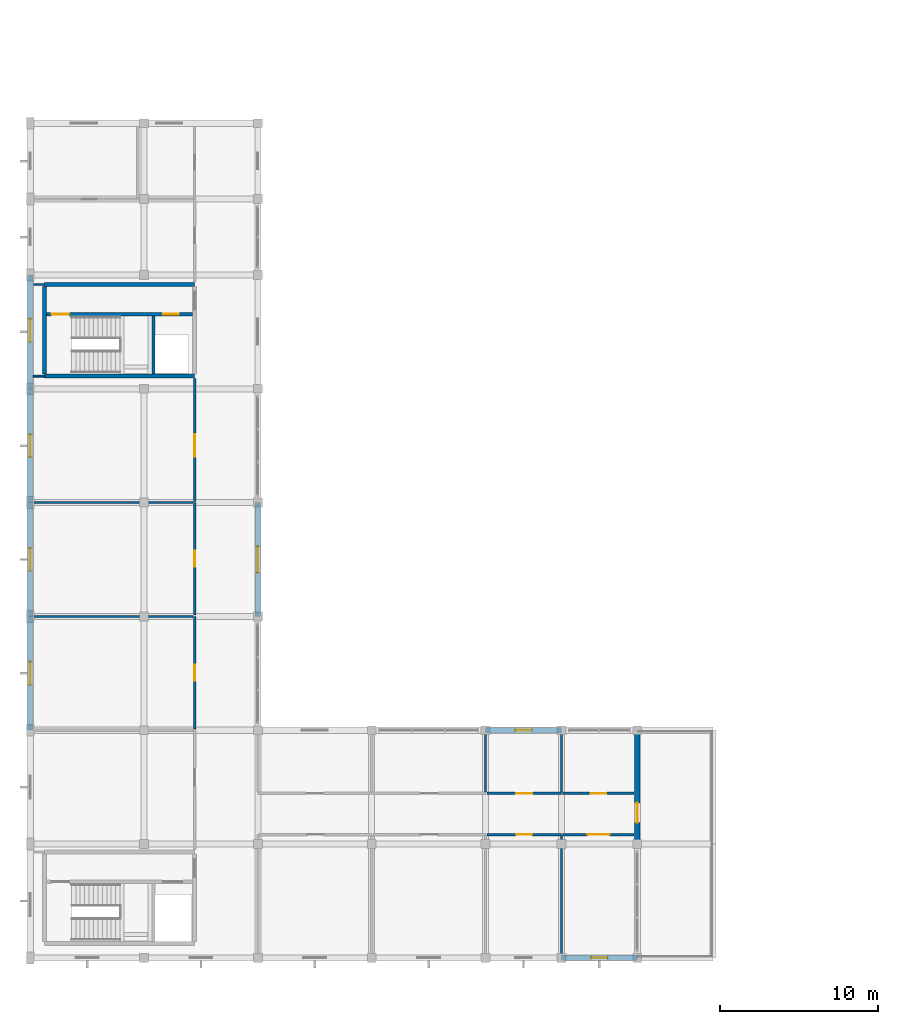
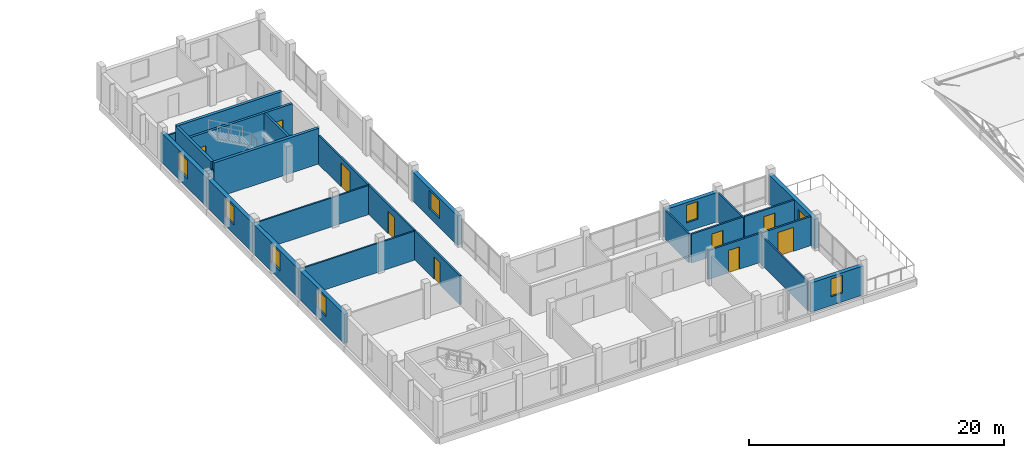
# One storey, part 68 of 84: 27 walls, 10 doors, 7 windows, 17 openings.
"""IFC4 building model written with IfcOpenShell, lengths in metres."""

import ifcopenshell
import ifcopenshell.guid

model = None  # the IFC model being written
_history = None  # IfcOwnerHistory: only IFC2X3 demands one
_inside = {}  # id of a spatial element -> (the spatial element, [elements in it])
_under = {}  # id of a project, library or spatial element -> (it, [spatial elements below it])
_declared = {}  # id of a project -> (the project, [libraries it declares])
_typed = {}  # id of a type object -> (the type object, [elements of that type])
_made_of = {}  # id of a material, layer set ... -> (it, [elements and type objects made of it])


def new_model(schema):
    """Start an empty IFC model of exactly this schema.

    Asked for "IFC4X3", IfcOpenShell would pick the latest addendum, in which some entities
    have other attributes; the version numbers below select the first issue.
    IFC2X3 requires an IfcOwnerHistory on every rooted entity: one is made here for all.
    """
    global model, _history
    if schema == "IFC4X3":
        model = ifcopenshell.file(schema_version=(4, 3, 0, 0))
    else:
        model = ifcopenshell.file(schema=schema)
    _inside.clear()
    _under.clear()
    _declared.clear()
    _typed.clear()
    _made_of.clear()
    _history = None
    if model.schema == "IFC2X3":
        org = make("IfcOrganization", Name="unknown")
        user = make(
            "IfcPersonAndOrganization",
            ThePerson=make("IfcPerson", FamilyName="unknown"),
            TheOrganization=org,
        )
        app = make(
            "IfcApplication",
            ApplicationDeveloper=org,
            Version="unknown",
            ApplicationFullName="unknown",
            ApplicationIdentifier="unknown",
        )
        _history = make(
            "IfcOwnerHistory",
            OwningUser=user,
            OwningApplication=app,
            ChangeAction="ADDED",
            CreationDate=0,
        )
    return model


def make(cls, **values):
    """One entity of the class cls with the attributes given. An attribute that is None is left unset."""
    return model.create_entity(
        cls, **{name: value for name, value in values.items() if value is not None}
    )


def rooted(cls, **values):
    """An entity with a GlobalId (a new one), such as an element, a storey or a relation."""
    return make(cls, GlobalId=ifcopenshell.guid.new(), OwnerHistory=_history, **values)


def si_unit(unit_type, name, prefix=None):
    """IfcSIUnit, for example si_unit("LENGTHUNIT", "METRE", prefix="MILLI")."""
    return make("IfcSIUnit", UnitType=unit_type, Prefix=prefix, Name=name)


def assignment(units):
    """IfcUnitAssignment: the units of a project."""
    return None if units is None else make("IfcUnitAssignment", Units=units)


def point(xyz):
    """IfcCartesianPoint."""
    return None if xyz is None else make("IfcCartesianPoint", Coordinates=xyz)


def direction(xyz):
    """IfcDirection."""
    return None if xyz is None else make("IfcDirection", DirectionRatios=xyz)


def frame(location, z_axis=None, x_axis=None):
    """IfcAxis2Placement3D, a coordinate frame: its origin and axes. An axis left out is left unset."""
    return make(
        "IfcAxis2Placement3D",
        Location=point(location),
        Axis=direction(z_axis),
        RefDirection=direction(x_axis),
    )


def frame_2d(location, x_axis=None):
    """IfcAxis2Placement2D, a coordinate frame in the plane: its origin and x axis."""
    return make(
        "IfcAxis2Placement2D", Location=point(location), RefDirection=direction(x_axis)
    )


def origin():
    """The frame at (0, 0, 0) with its axes left unset."""
    return frame((0.0, 0.0, 0.0))


def place(relative_to, where):
    """IfcLocalPlacement: puts the frame where relative to a parent placement (None: the world)."""
    return make(
        "IfcLocalPlacement", PlacementRelTo=relative_to, RelativePlacement=where
    )


def context(
    kind, dimensions, precision=None, world=None, true_north=None, identifier=None
):
    """IfcGeometricRepresentationContext, for example the 3D "Model" context."""
    return make(
        "IfcGeometricRepresentationContext",
        ContextIdentifier=identifier,
        ContextType=kind,
        CoordinateSpaceDimension=dimensions,
        Precision=precision,
        WorldCoordinateSystem=world,
        TrueNorth=true_north,
    )


def subcontext(parent, identifier, kind, view, scale=None):
    """IfcGeometricRepresentationSubContext, for example "Body" below "Model"."""
    return make(
        "IfcGeometricRepresentationSubContext",
        ContextIdentifier=identifier,
        ContextType=kind,
        ParentContext=parent,
        TargetScale=scale,
        TargetView=view,
    )


def project(units=None, contexts=None):
    """IfcProject with its units and contexts."""
    return rooted(
        "IfcProject",
        Name="project",
        RepresentationContexts=contexts,
        UnitsInContext=assignment(units),
    )


def spatial(cls, under=None, at=None, **own):
    """A site, building, storey or space (cls), placed at a placement, below another one or the project."""
    s = rooted(cls, ObjectPlacement=at, **own)
    if under is not None:
        _under.setdefault(under.id(), (under, []))[1].append(s)
    return s


def profile(cls, at=None, kind="AREA", **sizes):
    """A parametric profile (cls). Its sizes go by their IFC names, for example OverallWidth=200.0."""
    return make(cls, ProfileType=kind, Position=at, **sizes)


def rectangle(**sizes):
    """IfcRectangleProfileDef."""
    return profile("IfcRectangleProfileDef", **sizes)


def extrude(swept, where, along, depth):
    """IfcExtrudedAreaSolid: the profile swept, set in the frame where, extruded along a direction by depth."""
    return make(
        "IfcExtrudedAreaSolid",
        SweptArea=swept,
        Position=where,
        ExtrudedDirection=direction(along),
        Depth=depth,
    )


def shape(context_of_items, identifier, shape_type, items):
    """IfcShapeRepresentation: the items that make up one representation, for example the "Body"."""
    return make(
        "IfcShapeRepresentation",
        ContextOfItems=context_of_items,
        RepresentationIdentifier=identifier,
        RepresentationType=shape_type,
        Items=items,
    )


def material(Name=None, Category=None):
    """IfcMaterial."""
    return make("IfcMaterial", Name=Name, Category=Category)


def layer(
    of_material, thickness, ventilated=None, Name=None, Category=None, Priority=None
):
    """IfcMaterialLayer: one layer of a wall or slab, of a material (None: an air gap)."""
    return make(
        "IfcMaterialLayer",
        Material=of_material,
        LayerThickness=thickness,
        IsVentilated=ventilated,
        Name=Name,
        Category=Category,
        Priority=Priority,
    )


def layer_set(layers, Name=None):
    """IfcMaterialLayerSet."""
    return make("IfcMaterialLayerSet", MaterialLayers=layers, LayerSetName=Name)


def made_of(thing, what):
    """Note that an element or type object is made of a material, layer set ...; save() writes the relation."""
    if what is not None:
        _made_of.setdefault(what.id(), (what, []))[1].append(thing)
    return thing


def type_object(cls, material=None, **own):
    """A type object (cls), such as IfcWallType, which elements share."""
    return made_of(rooted(cls, **own), material)


def element(
    cls,
    number,
    at=None,
    inside=None,
    cuts=None,
    type_object=None,
    material=None,
    context=None,
    identifier="Body",
    shape_type=None,
    held_by="IfcProductDefinitionShape",
    body=None,
    shapes=None,
    **own,
):
    """One element of the class cls, such as IfcWall. Its Tag is "e" and its number.

    at: its placement. inside: the storey or other place that contains it. cuts: it is an
    opening in that element (IfcRelVoidsElement). A single representation is given by context,
    identifier, shape_type and body (its items); several are given by shapes. held_by: the class
    of the entity that holds the representations. save() writes the other relations.
    """
    e = rooted(cls, Tag="e%d" % number, ObjectPlacement=at, **own)
    if body is not None:
        shapes = [shape(context, identifier, shape_type, body)]
    if shapes is not None:
        e.Representation = make(held_by, Representations=shapes)
    if inside is not None:
        _inside.setdefault(inside.id(), (inside, []))[1].append(e)
    if cuts is not None:
        rooted(
            "IfcRelVoidsElement", RelatingBuildingElement=cuts, RelatedOpeningElement=e
        )
    if type_object is not None:
        _typed.setdefault(type_object.id(), (type_object, []))[1].append(e)
    return made_of(e, material)


def fill(opening, filler):
    """IfcRelFillsElement: the door or window that sits in an opening."""
    return rooted(
        "IfcRelFillsElement",
        RelatingOpeningElement=opening,
        RelatedBuildingElement=filler,
    )


def aggregate(whole, parts):
    """IfcRelAggregates: a whole, such as a stair, and the parts it consists of."""
    return rooted("IfcRelAggregates", RelatingObject=whole, RelatedObjects=parts)


def save(model, path):
    """Write the relations noted so far, then the file.

    IfcRelAggregates (storeys below a building ...), IfcRelContainedInSpatialStructure (elements
    in a storey), IfcRelDefinesByType, IfcRelAssociatesMaterial and IfcRelDeclares: one each for
    every whole, place, type object, material and project.
    """
    for whole, parts in _under.values():
        aggregate(whole, parts)
    for where, things in _inside.values():
        rooted(
            "IfcRelContainedInSpatialStructure",
            RelatedElements=things,
            RelatingStructure=where,
        )
    for kind, things in _typed.values():
        rooted("IfcRelDefinesByType", RelatedObjects=things, RelatingType=kind)
    for what, things in _made_of.values():
        rooted("IfcRelAssociatesMaterial", RelatedObjects=things, RelatingMaterial=what)
    for by, libraries in _declared.values():
        rooted("IfcRelDeclares", RelatingContext=by, RelatedDefinitions=libraries)
    model.write(path)


model = new_model("IFC4")

# Units and contexts
model_context = context("Model", 3, precision=1e-05, world=origin(), true_north=direction((0.0, 1.0)))
body_context = subcontext(model_context, "Body", "Model", "MODEL_VIEW")
ifc_project = project(units=[si_unit("LENGTHUNIT", "METRE"), si_unit("AREAUNIT", "SQUARE_METRE"), si_unit("VOLUMEUNIT", "CUBIC_METRE"), si_unit("PLANEANGLEUNIT", "RADIAN"), si_unit("MASSUNIT", "GRAM", prefix="KILO")], contexts=[model_context])

# Site, building, storey
site_placement = place(None, origin())
site = spatial("IfcSite", under=ifc_project, at=site_placement, CompositionType="ELEMENT")
building_placement = place(site_placement, origin())
building = spatial("IfcBuilding", under=site, at=building_placement, Name="Zornivar Specialist Clinic", CompositionType="ELEMENT")
storey_placement = place(building_placement, frame((0.0, 0.0, 12.300048828125)))
storey = spatial("IfcBuildingStorey", under=building, at=storey_placement, Name="L03", CompositionType="ELEMENT", Elevation=12.300048828125)

# Wall, opening, window
ifc_material_1 = material(Name="Masonry Red-Ochre Brick and Stone Insulated Wall", Category="masonry")
ifc_layer_1 = layer(ifc_material_1, 0.360107421875)
ifc_layer_set_1 = layer_set([ifc_layer_1], Name="Masonry Red-Ochre Brick and Stone Insulated Wall")
wall_type_1 = type_object("IfcWallType", Name="EW-BRICK-360", PredefinedType="SOLIDWALL", material=ifc_layer_set_1)
wall_1_placement = place(storey_placement, frame((33.60009765625, 0.0, 0.0), z_axis=(0.0, 0.0, 1.0), x_axis=(1.0, 0.0, 0.0)))
wall_1 = element("IfcWall", 1, at=wall_1_placement, inside=storey, type_object=wall_type_1, Name="ew:V2:L03:05", PredefinedType="SOLIDWALL", context=body_context, shape_type="SweptSolid", body=[
    extrude(rectangle(XDim=4.7998046875, YDim=0.360107421875, at=frame_2d((2.39990234375, 0.0))), origin(), (0.0, 0.0, 1.0), 2.800048828125),
])
opening_1_placement = place(wall_1_placement, frame((1.875, 0.0, 0.85009765625)))
opening_1 = element("IfcOpeningElement", 2, at=opening_1_placement, cuts=wall_1, Name="Opening W-10", PredefinedType="OPENING", context=body_context, shape_type="SweptSolid", body=[
    extrude(rectangle(XDim=1.050048828125, YDim=1.699951171875, at=frame_2d((0.52490234375, 0.85009765625))), frame((0.0, 0.18994140625, 0.0), z_axis=(0.0, -1.0, 0.0), x_axis=(1.0, 0.0, 0.0)), (0.0, 0.0, 1.0), 0.380126953125),
])
ifc_material_2 = material(Name="Triple-Glazed Aluminium-Timber Window Glass", Category="wood")
window_type_1 = type_object("IfcWindowType", Name="WIN-CUMBA-PIER-1050x1700", PartitioningType="SINGLE_PANEL", PredefinedType="WINDOW", material=ifc_material_2)
window_1_placement = place(opening_1_placement, origin())
window_1 = element("IfcWindow", 3, at=window_1_placement, inside=storey, type_object=window_type_1, Name="win:V2:L03:05", OverallHeight=1.699951171875, OverallWidth=1.050048828125, PartitioningType="SINGLE_PANEL", PredefinedType="WINDOW", context=body_context, shape_type="SweptSolid", body=[
    extrude(rectangle(XDim=1.050048828125, YDim=1.699951171875, at=frame_2d((0.52490234375, 0.85009765625))), frame((0.0, 0.030029296875, 0.0), z_axis=(0.0, -1.0, 0.0), x_axis=(1.0, 0.0, 0.0)), (0.0, 0.0, 1.0), 0.06005859375),
])
fill(opening_1, window_1)

# Wall, opening, door
wall_2_placement = place(storey_placement, frame((38.39990234375, 7.199951171875, 0.0), z_axis=(0.0, 0.0, 1.0), x_axis=(0.0, 1.0, 0.0)))
wall_2 = element("IfcWall", 4, at=wall_2_placement, inside=storey, type_object=wall_type_1, Name="ew:V2:L03:07", PredefinedType="SOLIDWALL", context=body_context, shape_type="SweptSolid", body=[
    extrude(rectangle(XDim=7.199951171875, YDim=0.360107421875, at=frame_2d((3.60009765625, 0.0))), origin(), (0.0, 0.0, 1.0), 2.800048828125),
])
opening_2_placement = place(wall_2_placement, frame((1.35009765625, 0.0, 0.0)))
opening_2 = element("IfcOpeningElement", 5, at=opening_2_placement, cuts=wall_2, Name="Opening TD-02", PredefinedType="OPENING", context=body_context, shape_type="SweptSolid", body=[
    extrude(rectangle(XDim=1.25, YDim=2.25, at=frame_2d((0.625, 1.125))), frame((0.0, 0.18994140625, 0.0), z_axis=(0.0, -1.0, 0.0), x_axis=(1.0, 0.0, 0.0)), (0.0, 0.0, 1.0), 0.380126953125),
])
ifc_material_3 = material(Name="Thermally Broken Glazed Aluminium Door", Category="aluminium")
door_type_1 = type_object("IfcDoorType", Name="TD-TERR-1250x2250", OperationType="NOTDEFINED", PredefinedType="DOOR", material=ifc_material_3)
door_1_placement = place(opening_2_placement, origin())
door_1 = element("IfcDoor", 6, at=door_1_placement, inside=storey, type_object=door_type_1, Name="door:V2:L03:terr:0", OperationType="SINGLE_SWING_RIGHT", OverallHeight=2.25, OverallWidth=1.25, PredefinedType="DOOR", context=body_context, shape_type="SweptSolid", body=[
    extrude(rectangle(XDim=1.25, YDim=2.25, at=frame_2d((0.625, 1.125))), frame((0.0, 0.02490234375, 0.0), z_axis=(0.0, -1.0, 0.0), x_axis=(1.0, 0.0, 0.0)), (0.0, 0.0, 1.0), 0.050048828125),
])
fill(opening_2, door_1)

# Wall, opening, window
wall_3_placement = place(storey_placement, frame((33.60009765625, 14.39990234375, 0.0), z_axis=(0.0, 0.0, 1.0), x_axis=(-1.0, 0.0, 0.0)))
wall_3 = element("IfcWall", 7, at=wall_3_placement, inside=storey, type_object=wall_type_1, Name="ew:V2:L03:09", PredefinedType="SOLIDWALL", context=body_context, shape_type="SweptSolid", body=[
    extrude(rectangle(XDim=4.800048828125, YDim=0.360107421875, at=frame_2d((2.39990234375, 0.0))), origin(), (0.0, 0.0, 1.0), 2.800048828125),
])
opening_3_placement = place(wall_3_placement, frame((1.875, 0.0, 0.85009765625)))
opening_3 = element("IfcOpeningElement", 8, at=opening_3_placement, cuts=wall_3, Name="Opening W-10", PredefinedType="OPENING", context=body_context, shape_type="SweptSolid", body=[
    extrude(rectangle(XDim=1.050048828125, YDim=1.699951171875, at=frame_2d((0.52490234375, 0.85009765625))), frame((0.0, 0.18994140625, 0.0), z_axis=(0.0, -1.0, 0.0), x_axis=(1.0, 0.0, 0.0)), (0.0, 0.0, 1.0), 0.380126953125),
])
window_2_placement = place(opening_3_placement, origin())
window_2 = element("IfcWindow", 9, at=window_2_placement, inside=storey, type_object=window_type_1, Name="win:V2:L03:09", OverallHeight=1.699951171875, OverallWidth=1.050048828125, PartitioningType="SINGLE_PANEL", PredefinedType="WINDOW", context=body_context, shape_type="SweptSolid", body=[
    extrude(rectangle(XDim=1.050048828125, YDim=1.699951171875, at=frame_2d((0.52490234375, 0.85009765625))), frame((0.0, 0.030029296875, 0.0), z_axis=(0.0, -1.0, 0.0), x_axis=(1.0, 0.0, 0.0)), (0.0, 0.0, 1.0), 0.06005859375),
])
fill(opening_3, window_2)

wall_4_placement = place(storey_placement, frame((14.39990234375, 21.60009765625, 0.0), z_axis=(0.0, 0.0, 1.0), x_axis=(0.0, 1.0, 0.0)))
wall_4 = element("IfcWall", 10, at=wall_4_placement, inside=storey, type_object=wall_type_1, Name="ew:V2:L03:13", PredefinedType="SOLIDWALL", context=body_context, shape_type="SweptSolid", body=[
    extrude(rectangle(XDim=7.199951171875, YDim=0.360107421875, at=frame_2d((3.60009765625, 0.0))), origin(), (0.0, 0.0, 1.0), 2.800048828125),
])
opening_4_placement = place(wall_4_placement, frame((2.77490234375, 0.0, 0.85009765625)))
opening_4 = element("IfcOpeningElement", 11, at=opening_4_placement, cuts=wall_4, Name="Opening W-09", PredefinedType="OPENING", context=body_context, shape_type="SweptSolid", body=[
    extrude(rectangle(XDim=1.64990234375, YDim=1.75, at=frame_2d((0.824951171875, 0.875))), frame((0.0, 0.18994140625, 0.0), z_axis=(0.0, -1.0, 0.0), x_axis=(1.0, 0.0, 0.0)), (0.0, 0.0, 1.0), 0.380126953125),
])
ifc_material_4 = material(Name="Triple-Glazed Aluminium-Timber Window Glass", Category="wood")
window_type_2 = type_object("IfcWindowType", Name="WIN-CUMBA-COURT-1650x1750", PartitioningType="SINGLE_PANEL", PredefinedType="WINDOW", material=ifc_material_4)
window_3_placement = place(opening_4_placement, origin())
window_3 = element("IfcWindow", 12, at=window_3_placement, inside=storey, type_object=window_type_2, Name="win:V2:L03:13", OverallHeight=1.75, OverallWidth=1.64990234375, PartitioningType="SINGLE_PANEL", PredefinedType="WINDOW", context=body_context, shape_type="SweptSolid", body=[
    extrude(rectangle(XDim=1.64990234375, YDim=1.75, at=frame_2d((0.824951171875, 0.875))), frame((0.0, 0.030029296875, 0.0), z_axis=(0.0, -1.0, 0.0), x_axis=(1.0, 0.0, 0.0)), (0.0, 0.0, 1.0), 0.06005859375),
])
fill(opening_4, window_3)

wall_5_placement = place(storey_placement, frame((0.0, 43.199951171875, 0.0), z_axis=(0.0, 0.0, 1.0), x_axis=(0.0, -1.0, 0.0)))
wall_5 = element("IfcWall", 13, at=wall_5_placement, inside=storey, type_object=wall_type_1, Name="ew:V2:L03:22", PredefinedType="SOLIDWALL", context=body_context, shape_type="SweptSolid", body=[
    extrude(rectangle(XDim=7.199951171875, YDim=0.360107421875, at=frame_2d((3.60009765625, 0.0))), origin(), (0.0, 0.0, 1.0), 2.800048828125),
])
opening_5_placement = place(wall_5_placement, frame((2.77490234375, 0.0, 0.85009765625)))
opening_5 = element("IfcOpeningElement", 14, at=opening_5_placement, cuts=wall_5, Name="Opening W-08", PredefinedType="OPENING", context=body_context, shape_type="SweptSolid", body=[
    extrude(rectangle(XDim=1.449951171875, YDim=1.75, at=frame_2d((0.72509765625, 0.875))), frame((0.0, 0.18994140625, 0.0), z_axis=(0.0, -1.0, 0.0), x_axis=(1.0, 0.0, 0.0)), (0.0, 0.0, 1.0), 0.380126953125),
])
ifc_material_5 = material(Name="Triple-Glazed Aluminium-Timber Window Glass", Category="wood")
window_type_3 = type_object("IfcWindowType", Name="WIN-CUMBA-STREET-1450x1750", PartitioningType="SINGLE_PANEL", PredefinedType="WINDOW", material=ifc_material_5)
window_4_placement = place(opening_5_placement, origin())
window_4 = element("IfcWindow", 15, at=window_4_placement, inside=storey, type_object=window_type_3, Name="win:V2:L03:22", OverallHeight=1.75, OverallWidth=1.449951171875, PartitioningType="SINGLE_PANEL", PredefinedType="WINDOW", context=body_context, shape_type="SweptSolid", body=[
    extrude(rectangle(XDim=1.449951171875, YDim=1.75, at=frame_2d((0.72509765625, 0.875))), frame((0.0, 0.030029296875, 0.0), z_axis=(0.0, -1.0, 0.0), x_axis=(1.0, 0.0, 0.0)), (0.0, 0.0, 1.0), 0.06005859375),
])
fill(opening_5, window_4)

wall_6_placement = place(storey_placement, frame((0.0, 36.0, 0.0), z_axis=(0.0, 0.0, 1.0), x_axis=(0.0, -1.0, 0.0)))
wall_6 = element("IfcWall", 16, at=wall_6_placement, inside=storey, type_object=wall_type_1, Name="ew:V2:L03:23", PredefinedType="SOLIDWALL", context=body_context, shape_type="SweptSolid", body=[
    extrude(rectangle(XDim=7.199951171875, YDim=0.360107421875, at=frame_2d((3.60009765625, 0.0))), origin(), (0.0, 0.0, 1.0), 2.800048828125),
])
opening_6_placement = place(wall_6_placement, frame((2.875, 0.0, 0.85009765625)))
opening_6 = element("IfcOpeningElement", 17, at=opening_6_placement, cuts=wall_6, Name="Opening W-08", PredefinedType="OPENING", context=body_context, shape_type="SweptSolid", body=[
    extrude(rectangle(XDim=1.449951171875, YDim=1.75, at=frame_2d((0.72509765625, 0.875))), frame((0.0, 0.18994140625, 0.0), z_axis=(0.0, -1.0, 0.0), x_axis=(1.0, 0.0, 0.0)), (0.0, 0.0, 1.0), 0.380126953125),
])
window_5_placement = place(opening_6_placement, origin())
window_5 = element("IfcWindow", 18, at=window_5_placement, inside=storey, type_object=window_type_3, Name="win:V2:L03:23", OverallHeight=1.75, OverallWidth=1.449951171875, PartitioningType="SINGLE_PANEL", PredefinedType="WINDOW", context=body_context, shape_type="SweptSolid", body=[
    extrude(rectangle(XDim=1.449951171875, YDim=1.75, at=frame_2d((0.72509765625, 0.875))), frame((0.0, 0.030029296875, 0.0), z_axis=(0.0, -1.0, 0.0), x_axis=(1.0, 0.0, 0.0)), (0.0, 0.0, 1.0), 0.06005859375),
])
fill(opening_6, window_5)

wall_7_placement = place(storey_placement, frame((0.0, 28.800048828125, 0.0), z_axis=(0.0, 0.0, 1.0), x_axis=(0.0, -1.0, 0.0)))
wall_7 = element("IfcWall", 19, at=wall_7_placement, inside=storey, type_object=wall_type_1, Name="ew:V2:L03:24", PredefinedType="SOLIDWALL", context=body_context, shape_type="SweptSolid", body=[
    extrude(rectangle(XDim=7.199951171875, YDim=0.360107421875, at=frame_2d((3.60009765625, 0.0))), origin(), (0.0, 0.0, 1.0), 2.800048828125),
])
opening_7_placement = place(wall_7_placement, frame((2.875, 0.0, 0.85009765625)))
opening_7 = element("IfcOpeningElement", 20, at=opening_7_placement, cuts=wall_7, Name="Opening W-08", PredefinedType="OPENING", context=body_context, shape_type="SweptSolid", body=[
    extrude(rectangle(XDim=1.449951171875, YDim=1.75, at=frame_2d((0.72509765625, 0.875))), frame((0.0, 0.18994140625, 0.0), z_axis=(0.0, -1.0, 0.0), x_axis=(1.0, 0.0, 0.0)), (0.0, 0.0, 1.0), 0.380126953125),
])
window_6_placement = place(opening_7_placement, origin())
window_6 = element("IfcWindow", 21, at=window_6_placement, inside=storey, type_object=window_type_3, Name="win:V2:L03:24", OverallHeight=1.75, OverallWidth=1.449951171875, PartitioningType="SINGLE_PANEL", PredefinedType="WINDOW", context=body_context, shape_type="SweptSolid", body=[
    extrude(rectangle(XDim=1.449951171875, YDim=1.75, at=frame_2d((0.72509765625, 0.875))), frame((0.0, 0.030029296875, 0.0), z_axis=(0.0, -1.0, 0.0), x_axis=(1.0, 0.0, 0.0)), (0.0, 0.0, 1.0), 0.06005859375),
])
fill(opening_7, window_6)

wall_8_placement = place(storey_placement, frame((0.0, 21.60009765625, 0.0), z_axis=(0.0, 0.0, 1.0), x_axis=(0.0, -1.0, 0.0)))
wall_8 = element("IfcWall", 22, at=wall_8_placement, inside=storey, type_object=wall_type_1, Name="ew:V2:L03:25", PredefinedType="SOLIDWALL", context=body_context, shape_type="SweptSolid", body=[
    extrude(rectangle(XDim=7.2001953125, YDim=0.360107421875, at=frame_2d((3.60009765625, 0.0))), origin(), (0.0, 0.0, 1.0), 2.800048828125),
])
opening_8_placement = place(wall_8_placement, frame((2.875, 0.0, 0.85009765625)))
opening_8 = element("IfcOpeningElement", 23, at=opening_8_placement, cuts=wall_8, Name="Opening W-08", PredefinedType="OPENING", context=body_context, shape_type="SweptSolid", body=[
    extrude(rectangle(XDim=1.449951171875, YDim=1.75, at=frame_2d((0.72509765625, 0.875))), frame((0.0, 0.18994140625, 0.0), z_axis=(0.0, -1.0, 0.0), x_axis=(1.0, 0.0, 0.0)), (0.0, 0.0, 1.0), 0.380126953125),
])
window_7_placement = place(opening_8_placement, origin())
window_7 = element("IfcWindow", 24, at=window_7_placement, inside=storey, type_object=window_type_3, Name="win:V2:L03:25", OverallHeight=1.75, OverallWidth=1.449951171875, PartitioningType="SINGLE_PANEL", PredefinedType="WINDOW", context=body_context, shape_type="SweptSolid", body=[
    extrude(rectangle(XDim=1.449951171875, YDim=1.75, at=frame_2d((0.72509765625, 0.875))), frame((0.0, 0.030029296875, 0.0), z_axis=(0.0, -1.0, 0.0), x_axis=(1.0, 0.0, 0.0)), (0.0, 0.0, 1.0), 0.06005859375),
])
fill(opening_8, window_7)

# Walls
ifc_material_6 = material(Name="Acoustic Clinical Stud Partition")
ifc_layer_2 = layer(ifc_material_6, 0.139892578125)
ifc_layer_set_2 = layer_set([ifc_layer_2], Name="Acoustic Clinical Stud Partition")
wall_type_2 = type_object("IfcWallType", Name="IW-CLIN-140", PredefinedType="PARTITIONING", material=ifc_layer_set_2)
for number, where, z_axis, x_axis, name in (
    (25, (0.195068359375, 21.60009765625, 0.0), (0.0, 0.0, 1.0), (1.0, 0.0, 0.0), "iw:L03:053"),
    (26, (0.195068359375, 28.800048828125, 0.0), (0.0, 0.0, 1.0), (1.0, 0.0, 0.0), "iw:L03:055"),
):
    element("IfcWall", number, at=place(storey_placement, frame(where, z_axis=z_axis, x_axis=x_axis)), inside=storey, type_object=wall_type_2, Name=name, PredefinedType="PARTITIONING", context=body_context, shape_type="SweptSolid", body=[
        extrude(rectangle(XDim=10.11083984375, YDim=0.139892578125, at=frame_2d((5.055419921875, 0.0))), origin(), (0.0, 0.0, 1.0), 2.780029296875),
    ])
wall_9_placement = place(storey_placement, frame((0.89990234375, 42.60009765625, 0.0), z_axis=(0.0, 0.0, 1.0), x_axis=(-1.0, 0.0, 0.0)))
element("IfcWall", 27, at=wall_9_placement, inside=storey, type_object=wall_type_2, Name="iw:L03:059", PredefinedType="PARTITIONING", context=body_context, shape_type="SweptSolid", body=[
    extrude(rectangle(XDim=0.704833984375, YDim=0.139892578125, at=frame_2d((0.3525390625, 0.0))), origin(), (0.0, 0.0, 1.0), 2.780029296875),
])
wall_10_placement = place(storey_placement, frame((28.800048828125, 14.205078125, 0.0), z_axis=(0.0, 0.0, 1.0), x_axis=(0.0, -1.0, 0.0)))
element("IfcWall", 28, at=wall_10_placement, inside=storey, type_object=wall_type_2, Name="iw:L03:073", PredefinedType="PARTITIONING", context=body_context, shape_type="SweptSolid", body=[
    extrude(rectangle(XDim=3.711181640625, YDim=0.139892578125, at=frame_2d((1.85546875, 0.0))), origin(), (0.0, 0.0, 1.0), 2.780029296875),
])
wall_11_placement = place(storey_placement, frame((33.60009765625, 7.7060546875, 0.0), z_axis=(0.0, 0.0, 1.0), x_axis=(0.0, -1.0, 0.0)))
element("IfcWall", 29, at=wall_11_placement, inside=storey, type_object=wall_type_2, Name="iw:L03:075", PredefinedType="PARTITIONING", context=body_context, shape_type="SweptSolid", body=[
    extrude(rectangle(XDim=7.510986328125, YDim=0.139892578125, at=frame_2d((3.75537109375, 0.0))), origin(), (0.0, 0.0, 1.0), 2.780029296875),
])
wall_12_placement = place(storey_placement, frame((33.60009765625, 14.205078125, 0.0), z_axis=(0.0, 0.0, 1.0), x_axis=(0.0, -1.0, 0.0)))
element("IfcWall", 30, at=wall_12_placement, inside=storey, type_object=wall_type_2, Name="iw:L03:077", PredefinedType="PARTITIONING", context=body_context, shape_type="SweptSolid", body=[
    extrude(rectangle(XDim=3.711181640625, YDim=0.139892578125, at=frame_2d((1.85546875, 0.0))), origin(), (0.0, 0.0, 1.0), 2.780029296875),
])

# Wall, opening, door
ifc_material_7 = material(Name="Gypsum Fire-Rated Double Stud Partition")
ifc_layer_3 = layer(ifc_material_7, 0.159912109375)
ifc_layer_set_3 = layer_set([ifc_layer_3], Name="Gypsum Fire-Rated Double Stud Partition")
wall_type_3 = type_object("IfcWallType", Name="IW-CORR-EI60-160", PredefinedType="PARTITIONING", material=ifc_layer_set_3)
wall_13_placement = place(storey_placement, frame((10.39990234375, 21.60009765625, 0.0), z_axis=(0.0, 0.0, 1.0), x_axis=(0.0, -1.0, 0.0)))
wall_13 = element("IfcWall", 31, at=wall_13_placement, inside=storey, type_object=wall_type_3, Name="iw:L03:052", PredefinedType="PARTITIONING", context=body_context, shape_type="SweptSolid", body=[
    extrude(rectangle(XDim=7.1162109375, YDim=0.159912109375, at=frame_2d((3.55810546875, 0.0))), origin(), (0.0, 0.0, 1.0), 2.780029296875),
])
opening_9_placement = place(wall_13_placement, frame((3.05810546875, 0.0, 0.0)))
opening_9 = element("IfcOpeningElement", 32, at=opening_9_placement, cuts=wall_13, Name="Opening ID-04", PredefinedType="OPENING", context=body_context, shape_type="SweptSolid", body=[
    extrude(rectangle(XDim=1.0, YDim=2.14990234375, at=frame_2d((0.5, 1.074951171875))), frame((0.0, 0.08984375, 0.0), z_axis=(0.0, -1.0, 0.0), x_axis=(1.0, 0.0, 0.0)), (0.0, 0.0, 1.0), 0.179931640625),
])
ifc_material_8 = material(Name="Solid-Core Hygienic Laminate Timber Door", Category="wood")
door_type_2 = type_object("IfcDoorType", Name="ID-EXAM-1000x2150", OperationType="NOTDEFINED", PredefinedType="DOOR", material=ifc_material_8)
door_2_placement = place(opening_9_placement, origin())
door_2 = element("IfcDoor", 33, at=door_2_placement, inside=storey, type_object=door_type_2, Name="door:space:V2:L03:rm:01", OperationType="SINGLE_SWING_LEFT", OverallHeight=2.14990234375, OverallWidth=1.0, PredefinedType="DOOR", context=body_context, shape_type="SweptSolid", body=[
    extrude(rectangle(XDim=1.0, YDim=2.14990234375, at=frame_2d((0.5, 1.074951171875))), frame((0.0, 0.02490234375, 0.0), z_axis=(0.0, -1.0, 0.0), x_axis=(1.0, 0.0, 0.0)), (0.0, 0.0, 1.0), 0.050048828125),
])
fill(opening_9, door_2)

wall_14_placement = place(storey_placement, frame((10.39990234375, 28.800048828125, 0.0), z_axis=(0.0, 0.0, 1.0), x_axis=(0.0, -1.0, 0.0)))
wall_14 = element("IfcWall", 34, at=wall_14_placement, inside=storey, type_object=wall_type_3, Name="iw:L03:054", PredefinedType="PARTITIONING", context=body_context, shape_type="SweptSolid", body=[
    extrude(rectangle(XDim=7.115966796875, YDim=0.159912109375, at=frame_2d((3.55810546875, 0.0))), origin(), (0.0, 0.0, 1.0), 2.780029296875),
])
opening_10_placement = place(wall_14_placement, frame((3.05810546875, 0.0, 0.0)))
opening_10 = element("IfcOpeningElement", 35, at=opening_10_placement, cuts=wall_14, Name="Opening ID-04", PredefinedType="OPENING", context=body_context, shape_type="SweptSolid", body=[
    extrude(rectangle(XDim=1.0, YDim=2.14990234375, at=frame_2d((0.5, 1.074951171875))), frame((0.0, 0.08984375, 0.0), z_axis=(0.0, -1.0, 0.0), x_axis=(1.0, 0.0, 0.0)), (0.0, 0.0, 1.0), 0.179931640625),
])
door_3_placement = place(opening_10_placement, origin())
door_3 = element("IfcDoor", 36, at=door_3_placement, inside=storey, type_object=door_type_2, Name="door:space:V2:L03:rm:02", OperationType="SINGLE_SWING_RIGHT", OverallHeight=2.14990234375, OverallWidth=1.0, PredefinedType="DOOR", context=body_context, shape_type="SweptSolid", body=[
    extrude(rectangle(XDim=1.0, YDim=2.14990234375, at=frame_2d((0.5, 1.074951171875))), frame((0.0, 0.02490234375, 0.0), z_axis=(0.0, -1.0, 0.0), x_axis=(1.0, 0.0, 0.0)), (0.0, 0.0, 1.0), 0.050048828125),
])
fill(opening_10, door_3)

wall_15_placement = place(storey_placement, frame((10.39990234375, 36.655029296875, 0.0), z_axis=(0.0, 0.0, 1.0), x_axis=(0.0, -1.0, 0.0)))
wall_15 = element("IfcWall", 37, at=wall_15_placement, inside=storey, type_object=wall_type_3, Name="iw:L03:056", PredefinedType="PARTITIONING", context=body_context, shape_type="SweptSolid", body=[
    extrude(rectangle(XDim=7.77099609375, YDim=0.159912109375, at=frame_2d((3.885498046875, 0.0))), origin(), (0.0, 0.0, 1.0), 2.780029296875),
])
opening_11_placement = place(wall_15_placement, frame((3.5380859375, 0.0, 0.0)))
opening_11 = element("IfcOpeningElement", 38, at=opening_11_placement, cuts=wall_15, Name="Opening ID-12", PredefinedType="OPENING", context=body_context, shape_type="SweptSolid", body=[
    extrude(rectangle(XDim=1.39990234375, YDim=2.300048828125, at=frame_2d((0.699951171875, 1.14990234375))), frame((0.0, 0.08984375, 0.0), z_axis=(0.0, -1.0, 0.0), x_axis=(1.0, 0.0, 0.0)), (0.0, 0.0, 1.0), 0.179931640625),
])
ifc_material_9 = material(Name="Solid-Core Hygienic Laminate Timber Door", Category="wood")
door_type_3 = type_object("IfcDoorType", Name="ID-WAIT-1400x2300", OperationType="NOTDEFINED", PredefinedType="DOOR", material=ifc_material_9)
door_4_placement = place(opening_11_placement, origin())
door_4 = element("IfcDoor", 39, at=door_4_placement, inside=storey, type_object=door_type_3, Name="door:space:V2:L03:rm:03", OperationType="DOUBLE_DOOR_SINGLE_SWING", OverallHeight=2.300048828125, OverallWidth=1.39990234375, PredefinedType="DOOR", context=body_context, shape_type="SweptSolid", body=[
    extrude(rectangle(XDim=1.39990234375, YDim=2.300048828125, at=frame_2d((0.699951171875, 1.14990234375))), frame((0.0, 0.02490234375, 0.0), z_axis=(0.0, -1.0, 0.0), x_axis=(1.0, 0.0, 0.0)), (0.0, 0.0, 1.0), 0.050048828125),
])
fill(opening_11, door_4)

wall_16_placement = place(storey_placement, frame((28.884033203125, 7.800048828125, 0.0), z_axis=(0.0, 0.0, 1.0), x_axis=(1.0, 0.0, 0.0)))
wall_16 = element("IfcWall", 40, at=wall_16_placement, inside=storey, type_object=wall_type_3, Name="iw:L03:074", PredefinedType="PARTITIONING", context=body_context, shape_type="SweptSolid", body=[
    extrude(rectangle(XDim=4.716064453125, YDim=0.159912109375, at=frame_2d((2.35791015625, 0.0))), origin(), (0.0, 0.0, 1.0), 2.780029296875),
])
opening_12_placement = place(wall_16_placement, frame((1.85791015625, 0.0, 0.0)))
opening_12 = element("IfcOpeningElement", 41, at=opening_12_placement, cuts=wall_16, Name="Opening ID-04", PredefinedType="OPENING", context=body_context, shape_type="SweptSolid", body=[
    extrude(rectangle(XDim=1.0, YDim=2.14990234375, at=frame_2d((0.5, 1.074951171875))), frame((0.0, 0.08984375, 0.0), z_axis=(0.0, -1.0, 0.0), x_axis=(1.0, 0.0, 0.0)), (0.0, 0.0, 1.0), 0.179931640625),
])
door_5_placement = place(opening_12_placement, origin())
door_5 = element("IfcDoor", 42, at=door_5_placement, inside=storey, type_object=door_type_2, Name="door:space:V2:L03:rm:11", OperationType="SINGLE_SWING_LEFT", OverallHeight=2.14990234375, OverallWidth=1.0, PredefinedType="DOOR", context=body_context, shape_type="SweptSolid", body=[
    extrude(rectangle(XDim=1.0, YDim=2.14990234375, at=frame_2d((0.5, 1.074951171875))), frame((0.0, 0.02490234375, 0.0), z_axis=(0.0, -1.0, 0.0), x_axis=(1.0, 0.0, 0.0)), (0.0, 0.0, 1.0), 0.050048828125),
])
fill(opening_12, door_5)

wall_17_placement = place(storey_placement, frame((33.60009765625, 10.39990234375, 0.0), z_axis=(0.0, 0.0, 1.0), x_axis=(-1.0, 0.0, 0.0)))
wall_17 = element("IfcWall", 43, at=wall_17_placement, inside=storey, type_object=wall_type_3, Name="iw:L03:076", PredefinedType="PARTITIONING", context=body_context, shape_type="SweptSolid", body=[
    extrude(rectangle(XDim=4.716064453125, YDim=0.159912109375, at=frame_2d((2.35791015625, 0.0))), origin(), (0.0, 0.0, 1.0), 2.780029296875),
])
opening_13_placement = place(wall_17_placement, frame((1.85791015625, 0.0, 0.0)))
opening_13 = element("IfcOpeningElement", 44, at=opening_13_placement, cuts=wall_17, Name="Opening ID-04", PredefinedType="OPENING", context=body_context, shape_type="SweptSolid", body=[
    extrude(rectangle(XDim=1.0, YDim=2.14990234375, at=frame_2d((0.5, 1.074951171875))), frame((0.0, 0.08984375, 0.0), z_axis=(0.0, -1.0, 0.0), x_axis=(1.0, 0.0, 0.0)), (0.0, 0.0, 1.0), 0.179931640625),
])
door_6_placement = place(opening_13_placement, origin())
door_6 = element("IfcDoor", 45, at=door_6_placement, inside=storey, type_object=door_type_2, Name="door:space:V2:L03:rm:12", OperationType="SINGLE_SWING_RIGHT", OverallHeight=2.14990234375, OverallWidth=1.0, PredefinedType="DOOR", context=body_context, shape_type="SweptSolid", body=[
    extrude(rectangle(XDim=1.0, YDim=2.14990234375, at=frame_2d((0.5, 1.074951171875))), frame((0.0, 0.02490234375, 0.0), z_axis=(0.0, -1.0, 0.0), x_axis=(1.0, 0.0, 0.0)), (0.0, 0.0, 1.0), 0.050048828125),
])
fill(opening_13, door_6)

wall_18_placement = place(storey_placement, frame((33.68408203125, 7.800048828125, 0.0), z_axis=(0.0, 0.0, 1.0), x_axis=(1.0, 0.0, 0.0)))
wall_18 = element("IfcWall", 46, at=wall_18_placement, inside=storey, type_object=wall_type_3, Name="iw:L03:078", PredefinedType="PARTITIONING", context=body_context, shape_type="SweptSolid", body=[
    extrude(rectangle(XDim=4.52099609375, YDim=0.159912109375, at=frame_2d((2.260498046875, 0.0))), origin(), (0.0, 0.0, 1.0), 2.780029296875),
])
opening_14_placement = place(wall_18_placement, frame((1.56103515625, 0.0, 0.0)))
opening_14 = element("IfcOpeningElement", 47, at=opening_14_placement, cuts=wall_18, Name="Opening ID-12", PredefinedType="OPENING", context=body_context, shape_type="SweptSolid", body=[
    extrude(rectangle(XDim=1.39990234375, YDim=2.300048828125, at=frame_2d((0.699951171875, 1.14990234375))), frame((0.0, 0.08984375, 0.0), z_axis=(0.0, -1.0, 0.0), x_axis=(1.0, 0.0, 0.0)), (0.0, 0.0, 1.0), 0.179931640625),
])
door_7_placement = place(opening_14_placement, origin())
door_7 = element("IfcDoor", 48, at=door_7_placement, inside=storey, type_object=door_type_3, Name="door:space:V2:L03:rm:13", OperationType="DOUBLE_DOOR_SINGLE_SWING", OverallHeight=2.300048828125, OverallWidth=1.39990234375, PredefinedType="DOOR", context=body_context, shape_type="SweptSolid", body=[
    extrude(rectangle(XDim=1.39990234375, YDim=2.300048828125, at=frame_2d((0.699951171875, 1.14990234375))), frame((0.0, 0.02490234375, 0.0), z_axis=(0.0, -1.0, 0.0), x_axis=(1.0, 0.0, 0.0)), (0.0, 0.0, 1.0), 0.050048828125),
])
fill(opening_14, door_7)

wall_19_placement = place(storey_placement, frame((38.205078125, 10.39990234375, 0.0), z_axis=(0.0, 0.0, 1.0), x_axis=(-1.0, 0.0, 0.0)))
wall_19 = element("IfcWall", 49, at=wall_19_placement, inside=storey, type_object=wall_type_3, Name="iw:L03:079", PredefinedType="PARTITIONING", context=body_context, shape_type="SweptSolid", body=[
    extrude(rectangle(XDim=4.52099609375, YDim=0.159912109375, at=frame_2d((2.260498046875, 0.0))), origin(), (0.0, 0.0, 1.0), 2.780029296875),
])
opening_15_placement = place(wall_19_placement, frame((1.760986328125, 0.0, 0.0)))
opening_15 = element("IfcOpeningElement", 50, at=opening_15_placement, cuts=wall_19, Name="Opening ID-04", PredefinedType="OPENING", context=body_context, shape_type="SweptSolid", body=[
    extrude(rectangle(XDim=1.0, YDim=2.14990234375, at=frame_2d((0.5, 1.074951171875))), frame((0.0, 0.08984375, 0.0), z_axis=(0.0, -1.0, 0.0), x_axis=(1.0, 0.0, 0.0)), (0.0, 0.0, 1.0), 0.179931640625),
])
door_8_placement = place(opening_15_placement, origin())
door_8 = element("IfcDoor", 51, at=door_8_placement, inside=storey, type_object=door_type_2, Name="door:space:V2:L03:rm:14", OperationType="SINGLE_SWING_RIGHT", OverallHeight=2.14990234375, OverallWidth=1.0, PredefinedType="DOOR", context=body_context, shape_type="SweptSolid", body=[
    extrude(rectangle(XDim=1.0, YDim=2.14990234375, at=frame_2d((0.5, 1.074951171875))), frame((0.0, 0.02490234375, 0.0), z_axis=(0.0, -1.0, 0.0), x_axis=(1.0, 0.0, 0.0)), (0.0, 0.0, 1.0), 0.050048828125),
])
fill(opening_15, door_8)

# Walls
ifc_material_10 = material(Name="Acoustic Glazed Consultation Partition")
ifc_layer_4 = layer(ifc_material_10, 0.1201171875)
ifc_layer_set_4 = layer_set([ifc_layer_4], Name="Acoustic Glazed Consultation Partition")
wall_type_4 = type_object("IfcWallType", Name="IW-GLAZ-120", PredefinedType="PARTITIONING", material=ifc_layer_set_4)
wall_20_placement = place(storey_placement, frame((0.195068359375, 36.800048828125, 0.0), z_axis=(0.0, 0.0, 1.0), x_axis=(1.0, 0.0, 0.0)))
element("IfcWall", 52, at=wall_20_placement, inside=storey, type_object=wall_type_4, Name="iw:L03:057", PredefinedType="PARTITIONING", context=body_context, shape_type="SweptSolid", body=[
    extrude(rectangle(XDim=0.704833984375, YDim=0.1201171875, at=frame_2d((0.3525390625, 0.0))), origin(), (0.0, 0.0, 1.0), 2.780029296875),
])
ifc_material_11 = material(Name="Concrete C35/45", Category="concrete")
ifc_layer_5 = layer(ifc_material_11, 0.260009765625)
ifc_layer_set_5 = layer_set([ifc_layer_5], Name="Concrete C35/45")
wall_type_5 = type_object("IfcWallType", Name="SW-CORE-260", PredefinedType="SHEAR", material=ifc_layer_set_5)
for number, where, z_axis, x_axis, name in (
    (53, (0.89990234375, 36.800048828125, 0.0), (0.0, 0.0, 1.0), (1.0, 0.0, 0.0), "sw:C2:L03:w0"),
    (54, (10.39990234375, 42.60009765625, 0.0), (0.0, 0.0, 1.0), (-1.0, 0.0, 0.0), "sw:C2:L03:w2"),
):
    element("IfcWall", number, at=place(storey_placement, frame(where, z_axis=z_axis, x_axis=x_axis)), inside=storey, type_object=wall_type_5, Name=name, PredefinedType="SHEAR", context=body_context, shape_type="SweptSolid", body=[
        extrude(rectangle(XDim=9.5, YDim=0.260009765625, at=frame_2d((4.75, 0.0))), origin(), (0.0, 0.0, 1.0), 3.419921875),
    ])
wall_21_placement = place(storey_placement, frame((0.89990234375, 42.469970703125, 0.0), z_axis=(0.0, 0.0, 1.0), x_axis=(0.0, -1.0, 0.0)))
element("IfcWall", 55, at=wall_21_placement, inside=storey, type_object=wall_type_5, Name="sw:C2:L03:w3", PredefinedType="SHEAR", context=body_context, shape_type="SweptSolid", body=[
    extrude(rectangle(XDim=5.5400390625, YDim=0.260009765625, at=frame_2d((2.77001953125, 0.0))), origin(), (0.0, 0.0, 1.0), 3.419921875),
])
ifc_material_12 = material(Name="Concrete C30/37", Category="concrete")
ifc_layer_6 = layer(ifc_material_12, 0.199951171875)
ifc_layer_set_6 = layer_set([ifc_layer_6], Name="Concrete C30/37")
wall_type_6 = type_object("IfcWallType", Name="SW-LIFT-200", PredefinedType="SHEAR", material=ifc_layer_set_6)
wall_22_placement = place(storey_placement, frame((7.800048828125, 36.929931640625, 0.0), z_axis=(0.0, 0.0, 1.0), x_axis=(0.0, 1.0, 0.0)))
element("IfcWall", 56, at=wall_22_placement, inside=storey, type_object=wall_type_6, Name="sw:C2:L03:sdiv", PredefinedType="SHEAR", context=body_context, shape_type="SweptSolid", body=[
    extrude(rectangle(XDim=3.670166015625, YDim=0.199951171875, at=frame_2d((1.8349609375, 0.0))), origin(), (0.0, 0.0, 1.0), 3.419921875),
])

# Wall, openings, doors
ifc_material_13 = material(Name="Concrete C30/37", Category="concrete")
ifc_layer_7 = layer(ifc_material_13, 0.219970703125)
ifc_layer_set_7 = layer_set([ifc_layer_7], Name="Concrete C30/37")
wall_type_7 = type_object("IfcWallType", Name="SW-SHAFT-220", PredefinedType="SHEAR", material=ifc_layer_set_7)
wall_23_placement = place(storey_placement, frame((1.030029296875, 40.7099609375, 0.0), z_axis=(0.0, 0.0, 1.0), x_axis=(1.0, 0.0, 0.0)))
wall_23 = element("IfcWall", 57, at=wall_23_placement, inside=storey, type_object=wall_type_7, Name="sw:C2:L03:stwall", PredefinedType="SHEAR", context=body_context, shape_type="SweptSolid", body=[
    extrude(rectangle(XDim=9.239990234375, YDim=0.219970703125, at=frame_2d((4.6201171875, 0.0))), origin(), (0.0, 0.0, 1.0), 3.419921875),
])
opening_16_placement = place(wall_23_placement, frame((0.320068359375, 0.0, 0.0)))
opening_16 = element("IfcOpeningElement", 58, at=opening_16_placement, cuts=wall_23, Name="Opening FD-02", PredefinedType="OPENING", context=body_context, shape_type="SweptSolid", body=[
    extrude(rectangle(XDim=1.10009765625, YDim=2.14990234375, at=frame_2d((0.550048828125, 1.074951171875))), frame((0.0, 0.119873046875, 0.0), z_axis=(0.0, -1.0, 0.0), x_axis=(1.0, 0.0, 0.0)), (0.0, 0.0, 1.0), 0.239990234375),
])
opening_17_placement = place(wall_23_placement, frame((7.3701171875, 0.0, 0.0)))
opening_17 = element("IfcOpeningElement", 59, at=opening_17_placement, cuts=wall_23, Name="Opening LD-02", PredefinedType="OPENING", context=body_context, shape_type="SweptSolid", body=[
    extrude(rectangle(XDim=1.0, YDim=2.199951171875, at=frame_2d((0.5, 1.10009765625))), frame((0.0, 0.119873046875, 0.0), z_axis=(0.0, -1.0, 0.0), x_axis=(1.0, 0.0, 0.0)), (0.0, 0.0, 1.0), 0.239990234375),
])
ifc_material_14 = material(Name="Solid-Core Hygienic Laminate Timber Door", Category="wood")
door_type_4 = type_object("IfcDoorType", Name="FD-STAIR-1100x2150", OperationType="NOTDEFINED", PredefinedType="DOOR", material=ifc_material_14)
door_9_placement = place(opening_16_placement, origin())
door_9 = element("IfcDoor", 60, at=door_9_placement, inside=storey, type_object=door_type_4, Name="door:C2:L03:stair", OperationType="SINGLE_SWING_LEFT", OverallHeight=2.14990234375, OverallWidth=1.10009765625, PredefinedType="DOOR", context=body_context, shape_type="SweptSolid", body=[
    extrude(rectangle(XDim=1.10009765625, YDim=2.14990234375, at=frame_2d((0.550048828125, 1.074951171875))), frame((0.0, 0.02490234375, 0.0), z_axis=(0.0, -1.0, 0.0), x_axis=(1.0, 0.0, 0.0)), (0.0, 0.0, 1.0), 0.050048828125),
])
fill(opening_16, door_9)
ifc_material_15 = material(Name="Stainless Steel Lift Landing Sliding Door", Category="steel")
door_type_5 = type_object("IfcDoorType", Name="LD-LIFT-1000x2200", OperationType="NOTDEFINED", PredefinedType="DOOR", material=ifc_material_15)
door_10_placement = place(opening_17_placement, origin())
door_10 = element("IfcDoor", 61, at=door_10_placement, inside=storey, type_object=door_type_5, Name="door:C2:L03:lift", OperationType="DOUBLE_DOOR_SLIDING", OverallHeight=2.199951171875, OverallWidth=1.0, PredefinedType="DOOR", context=body_context, shape_type="SweptSolid", body=[
    extrude(rectangle(XDim=1.0, YDim=2.199951171875, at=frame_2d((0.5, 1.10009765625))), frame((0.0, 0.02490234375, 0.0), z_axis=(0.0, -1.0, 0.0), x_axis=(1.0, 0.0, 0.0)), (0.0, 0.0, 1.0), 0.050048828125),
])
fill(opening_17, door_10)

save(model, "model.ifc")
